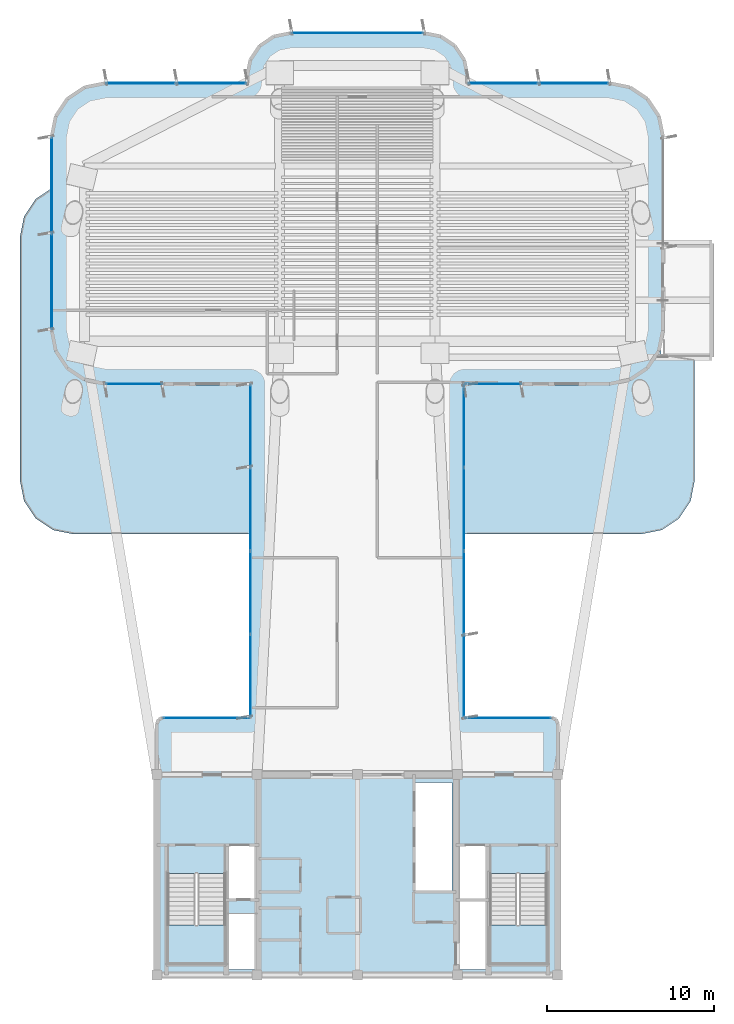
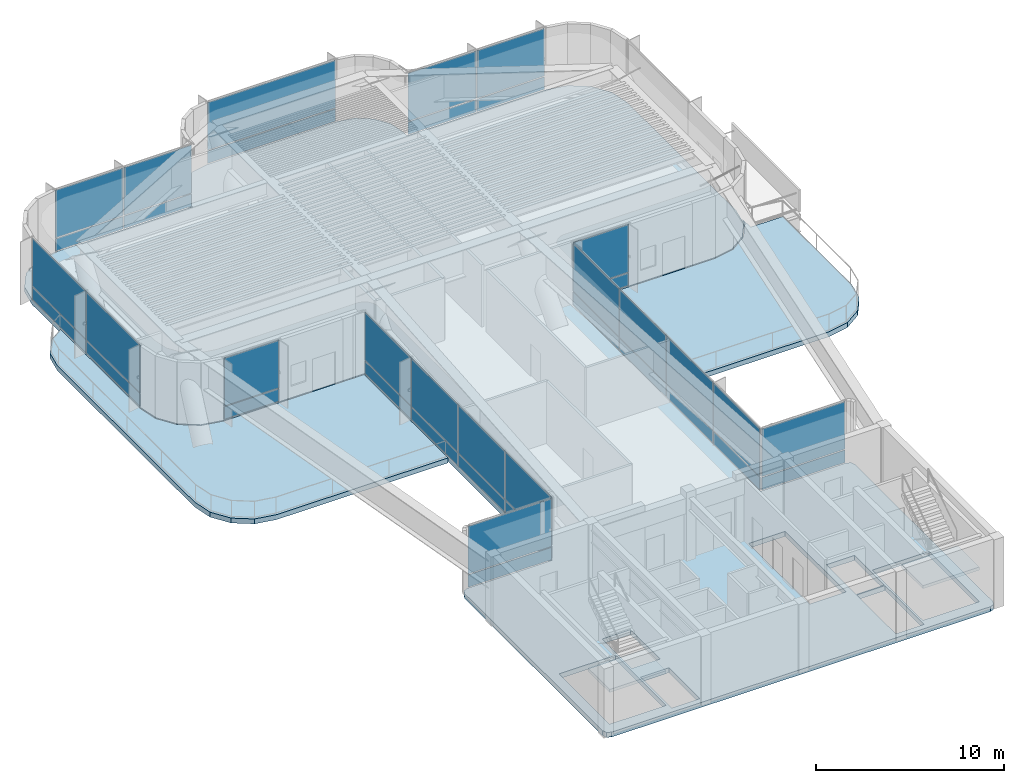
# One storey, part 9 of 16: 38 plates, 5 slabs, 12 elements without a shape of their own.
"""IFC4 building model written with IfcOpenShell, lengths in metres."""

import ifcopenshell
import ifcopenshell.guid

model = None  # the IFC model being written
_history = None  # IfcOwnerHistory: only IFC2X3 demands one
_inside = {}  # id of a spatial element -> (the spatial element, [elements in it])
_under = {}  # id of a project, library or spatial element -> (it, [spatial elements below it])
_declared = {}  # id of a project -> (the project, [libraries it declares])
_typed = {}  # id of a type object -> (the type object, [elements of that type])
_made_of = {}  # id of a material, layer set ... -> (it, [elements and type objects made of it])


def new_model(schema):
    """Start an empty IFC model of exactly this schema.

    Asked for "IFC4X3", IfcOpenShell would pick the latest addendum, in which some entities
    have other attributes; the version numbers below select the first issue.
    IFC2X3 requires an IfcOwnerHistory on every rooted entity: one is made here for all.
    """
    global model, _history
    if schema == "IFC4X3":
        model = ifcopenshell.file(schema_version=(4, 3, 0, 0))
    else:
        model = ifcopenshell.file(schema=schema)
    _inside.clear()
    _under.clear()
    _declared.clear()
    _typed.clear()
    _made_of.clear()
    _history = None
    if model.schema == "IFC2X3":
        org = make("IfcOrganization", Name="unknown")
        user = make(
            "IfcPersonAndOrganization",
            ThePerson=make("IfcPerson", FamilyName="unknown"),
            TheOrganization=org,
        )
        app = make(
            "IfcApplication",
            ApplicationDeveloper=org,
            Version="unknown",
            ApplicationFullName="unknown",
            ApplicationIdentifier="unknown",
        )
        _history = make(
            "IfcOwnerHistory",
            OwningUser=user,
            OwningApplication=app,
            ChangeAction="ADDED",
            CreationDate=0,
        )
    return model


def make(cls, **values):
    """One entity of the class cls with the attributes given. An attribute that is None is left unset."""
    return model.create_entity(
        cls, **{name: value for name, value in values.items() if value is not None}
    )


def rooted(cls, **values):
    """An entity with a GlobalId (a new one), such as an element, a storey or a relation."""
    return make(cls, GlobalId=ifcopenshell.guid.new(), OwnerHistory=_history, **values)


def si_unit(unit_type, name, prefix=None):
    """IfcSIUnit, for example si_unit("LENGTHUNIT", "METRE", prefix="MILLI")."""
    return make("IfcSIUnit", UnitType=unit_type, Prefix=prefix, Name=name)


def assignment(units):
    """IfcUnitAssignment: the units of a project."""
    return None if units is None else make("IfcUnitAssignment", Units=units)


def point(xyz):
    """IfcCartesianPoint."""
    return None if xyz is None else make("IfcCartesianPoint", Coordinates=xyz)


def direction(xyz):
    """IfcDirection."""
    return None if xyz is None else make("IfcDirection", DirectionRatios=xyz)


def frame(location, z_axis=None, x_axis=None):
    """IfcAxis2Placement3D, a coordinate frame: its origin and axes. An axis left out is left unset."""
    return make(
        "IfcAxis2Placement3D",
        Location=point(location),
        Axis=direction(z_axis),
        RefDirection=direction(x_axis),
    )


def frame_2d(location, x_axis=None):
    """IfcAxis2Placement2D, a coordinate frame in the plane: its origin and x axis."""
    return make(
        "IfcAxis2Placement2D", Location=point(location), RefDirection=direction(x_axis)
    )


def origin():
    """The frame at (0, 0, 0) with its axes left unset."""
    return frame((0.0, 0.0, 0.0))


def origin_2d():
    """The frame at (0, 0) in the plane with its x axis left unset."""
    return frame_2d((0.0, 0.0))


def place(relative_to, where):
    """IfcLocalPlacement: puts the frame where relative to a parent placement (None: the world)."""
    return make(
        "IfcLocalPlacement", PlacementRelTo=relative_to, RelativePlacement=where
    )


def context(
    kind, dimensions, precision=None, world=None, true_north=None, identifier=None
):
    """IfcGeometricRepresentationContext, for example the 3D "Model" context."""
    return make(
        "IfcGeometricRepresentationContext",
        ContextIdentifier=identifier,
        ContextType=kind,
        CoordinateSpaceDimension=dimensions,
        Precision=precision,
        WorldCoordinateSystem=world,
        TrueNorth=true_north,
    )


def subcontext(parent, identifier, kind, view, scale=None):
    """IfcGeometricRepresentationSubContext, for example "Body" below "Model"."""
    return make(
        "IfcGeometricRepresentationSubContext",
        ContextIdentifier=identifier,
        ContextType=kind,
        ParentContext=parent,
        TargetScale=scale,
        TargetView=view,
    )


def project(units=None, contexts=None):
    """IfcProject with its units and contexts."""
    return rooted(
        "IfcProject",
        Name="project",
        RepresentationContexts=contexts,
        UnitsInContext=assignment(units),
    )


def spatial(cls, under=None, at=None, **own):
    """A site, building, storey or space (cls), placed at a placement, below another one or the project."""
    s = rooted(cls, ObjectPlacement=at, **own)
    if under is not None:
        _under.setdefault(under.id(), (under, []))[1].append(s)
    return s


def polyline(points):
    """IfcPolyline through the points."""
    return make("IfcPolyline", Points=[point(p) for p in points])


def profile(cls, at=None, kind="AREA", **sizes):
    """A parametric profile (cls). Its sizes go by their IFC names, for example OverallWidth=200.0."""
    return make(cls, ProfileType=kind, Position=at, **sizes)


def rectangle(**sizes):
    """IfcRectangleProfileDef."""
    return profile("IfcRectangleProfileDef", **sizes)


def outline(outer, holes=None, kind="AREA"):
    """IfcArbitraryClosedProfileDef: a profile drawn as a closed curve; with holes, ...WithVoids."""
    if holes is None:
        return make("IfcArbitraryClosedProfileDef", ProfileType=kind, OuterCurve=outer)
    return make(
        "IfcArbitraryProfileDefWithVoids",
        ProfileType=kind,
        OuterCurve=outer,
        InnerCurves=holes,
    )


def extrude(swept, where, along, depth):
    """IfcExtrudedAreaSolid: the profile swept, set in the frame where, extruded along a direction by depth."""
    return make(
        "IfcExtrudedAreaSolid",
        SweptArea=swept,
        Position=where,
        ExtrudedDirection=direction(along),
        Depth=depth,
    )


def shape(context_of_items, identifier, shape_type, items):
    """IfcShapeRepresentation: the items that make up one representation, for example the "Body"."""
    return make(
        "IfcShapeRepresentation",
        ContextOfItems=context_of_items,
        RepresentationIdentifier=identifier,
        RepresentationType=shape_type,
        Items=items,
    )


def source(mapping_origin, context_of_items, identifier, shape_type, items):
    """IfcRepresentationMap: a shape defined once, which mapped items show again and again."""
    return make(
        "IfcRepresentationMap",
        MappingOrigin=mapping_origin,
        MappedRepresentation=shape(context_of_items, identifier, shape_type, items),
    )


def transform(
    local_origin,
    x_axis=None,
    y_axis=None,
    z_axis=None,
    scale=None,
    scale2=None,
    scale3=None,
    uniform=True,
):
    """IfcCartesianTransformationOperator3D, or its non-uniform kind. x_axis, y_axis, z_axis: its Axis1, 2, 3."""
    if uniform:
        return make(
            "IfcCartesianTransformationOperator3D",
            Axis1=direction(x_axis),
            Axis2=direction(y_axis),
            LocalOrigin=point(local_origin),
            Scale=scale,
            Axis3=direction(z_axis),
        )
    return make(
        "IfcCartesianTransformationOperator3DnonUniform",
        Axis1=direction(x_axis),
        Axis2=direction(y_axis),
        LocalOrigin=point(local_origin),
        Scale=scale,
        Axis3=direction(z_axis),
        Scale2=scale2,
        Scale3=scale3,
    )


def mapped(mapping_source, mapping_target):
    """IfcMappedItem: shows the shape of a source again, moved by a transform."""
    return make(
        "IfcMappedItem", MappingSource=mapping_source, MappingTarget=mapping_target
    )


def material(Name=None, Category=None):
    """IfcMaterial."""
    return make("IfcMaterial", Name=Name, Category=Category)


def layer(
    of_material, thickness, ventilated=None, Name=None, Category=None, Priority=None
):
    """IfcMaterialLayer: one layer of a wall or slab, of a material (None: an air gap)."""
    return make(
        "IfcMaterialLayer",
        Material=of_material,
        LayerThickness=thickness,
        IsVentilated=ventilated,
        Name=Name,
        Category=Category,
        Priority=Priority,
    )


def layer_set(layers, Name=None):
    """IfcMaterialLayerSet."""
    return make("IfcMaterialLayerSet", MaterialLayers=layers, LayerSetName=Name)


def made_of(thing, what):
    """Note that an element or type object is made of a material, layer set ...; save() writes the relation."""
    if what is not None:
        _made_of.setdefault(what.id(), (what, []))[1].append(thing)
    return thing


def type_object(cls, material=None, **own):
    """A type object (cls), such as IfcWallType, which elements share."""
    return made_of(rooted(cls, **own), material)


def element(
    cls,
    number,
    at=None,
    inside=None,
    cuts=None,
    type_object=None,
    material=None,
    context=None,
    identifier="Body",
    shape_type=None,
    held_by="IfcProductDefinitionShape",
    body=None,
    shapes=None,
    **own,
):
    """One element of the class cls, such as IfcWall. Its Tag is "e" and its number.

    at: its placement. inside: the storey or other place that contains it. cuts: it is an
    opening in that element (IfcRelVoidsElement). A single representation is given by context,
    identifier, shape_type and body (its items); several are given by shapes. held_by: the class
    of the entity that holds the representations. save() writes the other relations.
    """
    e = rooted(cls, Tag="e%d" % number, ObjectPlacement=at, **own)
    if body is not None:
        shapes = [shape(context, identifier, shape_type, body)]
    if shapes is not None:
        e.Representation = make(held_by, Representations=shapes)
    if inside is not None:
        _inside.setdefault(inside.id(), (inside, []))[1].append(e)
    if cuts is not None:
        rooted(
            "IfcRelVoidsElement", RelatingBuildingElement=cuts, RelatedOpeningElement=e
        )
    if type_object is not None:
        _typed.setdefault(type_object.id(), (type_object, []))[1].append(e)
    return made_of(e, material)


def aggregate(whole, parts):
    """IfcRelAggregates: a whole, such as a stair, and the parts it consists of."""
    return rooted("IfcRelAggregates", RelatingObject=whole, RelatedObjects=parts)


def save(model, path):
    """Write the relations noted so far, then the file.

    IfcRelAggregates (storeys below a building ...), IfcRelContainedInSpatialStructure (elements
    in a storey), IfcRelDefinesByType, IfcRelAssociatesMaterial and IfcRelDeclares: one each for
    every whole, place, type object, material and project.
    """
    for whole, parts in _under.values():
        aggregate(whole, parts)
    for where, things in _inside.values():
        rooted(
            "IfcRelContainedInSpatialStructure",
            RelatedElements=things,
            RelatingStructure=where,
        )
    for kind, things in _typed.values():
        rooted("IfcRelDefinesByType", RelatedObjects=things, RelatingType=kind)
    for what, things in _made_of.values():
        rooted("IfcRelAssociatesMaterial", RelatedObjects=things, RelatingMaterial=what)
    for by, libraries in _declared.values():
        rooted("IfcRelDeclares", RelatingContext=by, RelatedDefinitions=libraries)
    model.write(path)


model = new_model("IFC4")

# Units and contexts
model_context = context("Model", 3, precision=1e-05, world=origin(), true_north=direction((0.0, 1.0)))
body_context = subcontext(model_context, "Body", "Model", "MODEL_VIEW")
ifc_project = project(units=[si_unit("LENGTHUNIT", "METRE"), si_unit("AREAUNIT", "SQUARE_METRE"), si_unit("VOLUMEUNIT", "CUBIC_METRE"), si_unit("PLANEANGLEUNIT", "RADIAN"), si_unit("MASSUNIT", "GRAM", prefix="KILO")], contexts=[model_context])

# Site, building, storey
site_placement = place(None, origin())
site = spatial("IfcSite", under=ifc_project, at=site_placement, CompositionType="ELEMENT")
building_placement = place(site_placement, origin())
building = spatial("IfcBuilding", under=site, at=building_placement, Name="Brelvock Crest Care Tower", CompositionType="ELEMENT")
storey_placement = place(building_placement, frame((0.0, 0.0, 218.52001953125)))
storey = spatial("IfcBuildingStorey", under=building, at=storey_placement, Name="L55", CompositionType="ELEMENT", Elevation=218.52001953125)

# Slabs
ifc_material_1 = material(Name="Concrete N50 (50 MPa)", Category="concrete")
ifc_layer_1 = layer(ifc_material_1, 0.320068359375, Name="SLB-FL1")
ifc_layer_set_1 = layer_set([ifc_layer_1], Name="Concrete N50 (50 MPa)")
slab_type_1 = type_object("IfcSlabType", Name="SLB-FL1", PredefinedType="FLOOR", material=ifc_layer_set_1)
slab_1_placement = place(storey_placement, frame((0.0, 0.0, -0.320068359375)))
element("IfcSlab", 1, at=slab_1_placement, inside=storey, type_object=slab_type_1, Name="L55 Main Structural Slab", PredefinedType="FLOOR", context=body_context, shape_type="SweptSolid", body=[
    extrude(outline(polyline([(47.64990234375, 21.39990234375), (42.39990234375, 21.39990234375), (42.39990234375, 41.39990234375), (51.10009765625, 41.39990234375), (52.32470703125, 41.6435546875), (53.36279296875, 42.33740234375), (54.056396484375, 43.37548828125), (54.300048828125, 44.60009765625), (54.300048828125, 56.199951171875), (54.056396484375, 57.424560546875), (53.36279296875, 58.462646484375), (52.32470703125, 59.156494140625), (51.10009765625, 59.39990234375), (42.60009765625, 59.39990234375), (42.60009765625, 59.800048828125), (42.402099609375, 60.794921875), (41.83837890625, 61.638427734375), (40.9951171875, 62.2021484375), (40.0, 62.39990234375), (32.0, 62.39990234375), (31.0048828125, 62.2021484375), (30.16162109375, 61.638427734375), (29.597900390625, 60.794921875), (29.39990234375, 59.800048828125), (29.39990234375, 59.39990234375), (20.89990234375, 59.39990234375), (19.67529296875, 59.156494140625), (18.63720703125, 58.462646484375), (17.943603515625, 57.424560546875), (17.699951171875, 56.199951171875), (17.699951171875, 44.60009765625), (17.943603515625, 43.37548828125), (18.63720703125, 42.33740234375), (19.67529296875, 41.6435546875), (20.89990234375, 41.39990234375), (29.60009765625, 41.39990234375), (29.60009765625, 21.39990234375), (24.35009765625, 21.39990234375), (24.1025390625, 21.297607421875), (24.0, 21.050048828125), (24.0, 6.35009765625), (24.1025390625, 6.1025390625), (24.35009765625, 6.0), (47.64990234375, 6.0), (47.8974609375, 6.1025390625), (48.0, 6.35009765625), (48.0, 21.050048828125), (47.8974609375, 21.297607421875), (47.64990234375, 21.39990234375)]), holes=[polyline([(28.239990234375, 10.580078125), (29.97998046875, 10.580078125), (29.97998046875, 13.739990234375), (28.239990234375, 13.739990234375), (28.239990234375, 10.580078125)]), polyline([(42.02001953125, 10.580078125), (43.760009765625, 10.580078125), (43.760009765625, 13.739990234375), (42.02001953125, 13.739990234375), (42.02001953125, 10.580078125)]), polyline([(28.239990234375, 6.340087890625), (29.97998046875, 6.340087890625), (29.97998046875, 9.64990234375), (28.239990234375, 9.64990234375), (28.239990234375, 6.340087890625)]), polyline([(24.6298828125, 12.080078125), (24.6298828125, 6.699951171875), (28.110107421875, 6.699951171875), (28.110107421875, 12.080078125), (24.6298828125, 12.080078125)]), polyline([(43.889892578125, 12.080078125), (43.889892578125, 6.699951171875), (47.3701171875, 6.699951171875), (47.3701171875, 12.080078125), (43.889892578125, 12.080078125)]), polyline([(42.02001953125, 6.340087890625), (43.760009765625, 6.340087890625), (43.760009765625, 10.5), (42.02001953125, 10.5), (42.02001953125, 6.340087890625)]), polyline([(39.429931640625, 11.030029296875), (41.669921875, 11.030029296875), (41.669921875, 17.52001953125), (39.429931640625, 17.52001953125), (39.429931640625, 11.030029296875)])]), origin(), (0.0, 0.0, 1.0), 0.320068359375),
])
ifc_layer_2 = layer(ifc_material_1, 0.320068359375, Name="SLB-TD2")
ifc_layer_set_2 = layer_set([ifc_layer_2], Name="Concrete N50 (50 MPa)")
slab_type_2 = type_object("IfcSlabType", Name="SLB-TD2", PredefinedType="FLOOR", material=ifc_layer_set_2)
slab_2_placement = place(storey_placement, frame((0.0, 0.0, -0.320068359375)))
element("IfcSlab", 2, at=slab_2_placement, inside=storey, type_object=slab_type_2, Name="L55 Landscaped Setback Terrace 1", PredefinedType="FLOOR", context=body_context, shape_type="SweptSolid", body=[
    extrude(outline(polyline([(56.199951171875, 42.89990234375), (54.199951171875, 42.89990234375), (54.199951171875, 43.789794921875), (54.109375, 43.34716796875), (53.4091796875, 42.29931640625), (52.336181640625, 41.584716796875), (51.10009765625, 41.340087890625), (42.4599609375, 41.340087890625), (42.4599609375, 32.39990234375), (53.0, 32.39990234375), (54.224609375, 32.6435546875), (55.2626953125, 33.33740234375), (55.956298828125, 34.37548828125), (56.199951171875, 35.60009765625), (56.199951171875, 42.89990234375)])), origin(), (0.0, 0.0, 1.0), 0.320068359375),
])
slab_3_placement = place(storey_placement, frame((0.0, 0.0, -0.320068359375)))
element("IfcSlab", 3, at=slab_3_placement, inside=storey, type_object=slab_type_2, Name="L55 Landscaped Setback Terrace 2", PredefinedType="FLOOR", context=body_context, shape_type="SweptSolid", body=[
    extrude(outline(polyline([(19.0, 32.39990234375), (29.5400390625, 32.39990234375), (29.5400390625, 41.340087890625), (20.89404296875, 41.34033203125), (19.65234375, 41.588134765625), (18.594970703125, 42.294921875), (17.88818359375, 43.352294921875), (17.640380859375, 44.593994140625), (17.639892578125, 53.06591796875), (16.7373046875, 52.462646484375), (16.043701171875, 51.424560546875), (15.800048828125, 50.199951171875), (15.800048828125, 35.60009765625), (16.043701171875, 34.37548828125), (16.7373046875, 33.33740234375), (17.775390625, 32.6435546875), (19.0, 32.39990234375)])), origin(), (0.0, 0.0, 1.0), 0.320068359375),
])

# Stair, slab
ifc_material_2 = material(Name="Concrete N40 (40 MPa)", Category="concrete")
stair_type = type_object("IfcStairType", Name="ST-CORE1", PredefinedType="HALF_TURN_STAIR", material=ifc_material_2)
stair_1_placement = place(storey_placement, origin())
stair_1 = element("IfcStair", 4, at=stair_1_placement, inside=storey, type_object=stair_type, Name="L55 Fire-Isolated Core Stair ST-1", PredefinedType="HALF_TURN_STAIR")
ifc_layer_3 = layer(ifc_material_2, 0.199951171875, Name="STL-1")
ifc_layer_set_3 = layer_set([ifc_layer_3], Name="Concrete N40 (40 MPa)")
slab_type_3 = type_object("IfcSlabType", Name="STL-1", PredefinedType="LANDING", material=ifc_layer_set_3)
slab_4_placement = place(storey_placement, frame((0.0, 0.0, 2.050048828125)))
slab_4 = element("IfcSlab", 5, at=slab_4_placement, type_object=slab_type_3, Name="ST-1 landing 1", PredefinedType="LANDING", context=body_context, shape_type="SweptSolid", body=[
    extrude(outline(polyline([(24.6298828125, 9.0), (24.6298828125, 6.699951171875), (28.110107421875, 6.699951171875), (28.110107421875, 9.0), (24.6298828125, 9.0)])), origin(), (0.0, 0.0, 1.0), 0.199951171875),
])
aggregate(stair_1, [slab_4])

stair_2_placement = place(storey_placement, origin())
stair_2 = element("IfcStair", 6, at=stair_2_placement, inside=storey, type_object=stair_type, Name="L55 Fire-Isolated Core Stair ST-2", PredefinedType="HALF_TURN_STAIR")
slab_5_placement = place(storey_placement, frame((0.0, 0.0, 2.050048828125)))
slab_5 = element("IfcSlab", 7, at=slab_5_placement, type_object=slab_type_3, Name="ST-2 landing 1", PredefinedType="LANDING", context=body_context, shape_type="SweptSolid", body=[
    extrude(outline(polyline([(43.889892578125, 9.0), (43.889892578125, 6.699951171875), (47.3701171875, 6.699951171875), (47.3701171875, 9.0), (43.889892578125, 9.0)])), origin(), (0.0, 0.0, 1.0), 0.199951171875),
])
aggregate(stair_2, [slab_5])

# Curtain wall, plate
ifc_material_3 = material(Name="Dark Glass Double Glazed Low-E", Category="glass")
ifc_layer_4 = layer(ifc_material_3, 0.2548828125, Name="CWS-6")
ifc_layer_set_4 = layer_set([ifc_layer_4], Name="Dark Glass Double Glazed Low-E")
curtain_wall_type = type_object("IfcCurtainWallType", Name="CWS-6", PredefinedType="NOTDEFINED", material=ifc_layer_set_4)
curtain_wall_1_placement = place(storey_placement, origin())
curtain_wall_1 = element("IfcCurtainWall", 8, at=curtain_wall_1_placement, inside=storey, type_object=curtain_wall_type, Name="L55 Curtain Wall E10", PredefinedType="NOTDEFINED")
ifc_material_4 = material(Name="Dark Glass Shadow-Box Spandrel", Category="glass")
ifc_layer_5 = layer(ifc_material_4, 0.048095703125, Name="CWP-SP1")
ifc_layer_set_5 = layer_set([ifc_layer_5], Name="Dark Glass Shadow-Box Spandrel")
plate_type_1 = type_object("IfcPlateType", Name="CWP-SP1", PredefinedType="SHEET", material=ifc_layer_set_5)
shared_shape_1 = source(origin(), body_context, "Body", "SweptSolid", [
    extrude(rectangle(XDim=5.1201171875, YDim=0.035888671875, at=origin_2d()), origin(), (0.0, 0.0, 1.0), 0.802490234375),
])
plate_1_placement = place(storey_placement, frame((26.97509765625, 21.39990234375, 0.06494140625), z_axis=(0.0, 0.0, 1.0), x_axis=(1.0, 0.0, 0.0)))
plate_1 = element("IfcPlate", 9, at=plate_1_placement, type_object=plate_type_1, Name="CW-6 panel 1.1", PredefinedType="SHEET", context=body_context, shape_type="MappedRepresentation", body=[
    mapped(shared_shape_1, transform((0.0, 0.0, 0.0), x_axis=(1.0, 0.0, 0.0), y_axis=(0.0, 1.0, 0.0), z_axis=(0.0, 0.0, 1.0), scale=1.0)),
])

curtain_wall_2_placement = place(storey_placement, origin())
curtain_wall_2 = element("IfcCurtainWall", 10, at=curtain_wall_2_placement, inside=storey, type_object=curtain_wall_type, Name="L55 Curtain Wall E46", PredefinedType="NOTDEFINED")
plate_2_placement = place(storey_placement, frame((45.02490234375, 21.39990234375, 0.06494140625), z_axis=(0.0, 0.0, 1.0), x_axis=(1.0, 0.0, 0.0)))
plate_2 = element("IfcPlate", 11, at=plate_2_placement, type_object=plate_type_1, Name="CW-6 panel 1.1", PredefinedType="SHEET", context=body_context, shape_type="MappedRepresentation", body=[
    mapped(shared_shape_1, transform((0.0, 0.0, 0.0), x_axis=(1.0, 0.0, 0.0), y_axis=(0.0, 1.0, 0.0), z_axis=(0.0, 0.0, 1.0), scale=1.0)),
])

# Plate
ifc_layer_6 = layer(ifc_material_3, 0.0380859375, Name="CWP-V2")
ifc_layer_set_6 = layer_set([ifc_layer_6], Name="Dark Glass Double Glazed Low-E")
plate_type_2 = type_object("IfcPlateType", Name="CWP-V2", PredefinedType="CURTAIN_PANEL", material=ifc_layer_set_6)
shared_shape_2 = source(origin(), body_context, "Body", "SweptSolid", [
    extrude(rectangle(XDim=5.1201171875, YDim=0.035888671875, at=origin_2d()), origin(), (0.0, 0.0, 1.0), 3.094482421875),
])
plate_3_placement = place(storey_placement, frame((26.97509765625, 21.39990234375, 0.9326171875), z_axis=(0.0, 0.0, 1.0), x_axis=(1.0, 0.0, 0.0)))
plate_3 = element("IfcPlate", 12, at=plate_3_placement, type_object=plate_type_2, Name="CW-6 panel 1.2", PredefinedType="CURTAIN_PANEL", context=body_context, shape_type="MappedRepresentation", body=[
    mapped(shared_shape_2, transform((0.0, 0.0, 0.0), x_axis=(1.0, 0.0, 0.0), y_axis=(0.0, 1.0, 0.0), z_axis=(0.0, 0.0, 1.0), scale=1.0)),
])

aggregate(curtain_wall_1, [plate_1, plate_3])

plate_4_placement = place(storey_placement, frame((45.02490234375, 21.39990234375, 0.9326171875), z_axis=(0.0, 0.0, 1.0), x_axis=(1.0, 0.0, 0.0)))
plate_4 = element("IfcPlate", 13, at=plate_4_placement, type_object=plate_type_2, Name="CW-6 panel 1.2", PredefinedType="CURTAIN_PANEL", context=body_context, shape_type="MappedRepresentation", body=[
    mapped(shared_shape_2, transform((0.0, 0.0, 0.0), x_axis=(1.0, 0.0, 0.0), y_axis=(0.0, 1.0, 0.0), z_axis=(0.0, 0.0, 1.0), scale=1.0)),
])

aggregate(curtain_wall_2, [plate_2, plate_4])

# Curtain wall, plates
curtain_wall_3_placement = place(storey_placement, origin())
curtain_wall_3 = element("IfcCurtainWall", 14, at=curtain_wall_3_placement, inside=storey, type_object=curtain_wall_type, Name="L55 Curtain Wall E11", PredefinedType="NOTDEFINED")
shared_shape_3 = source(origin(), body_context, "Body", "SweptSolid", [
    extrude(rectangle(XDim=4.902587890625, YDim=0.035888671875, at=origin_2d()), origin(), (0.0, 0.0, 1.0), 0.802490234375),
])
plate_5_placement = place(storey_placement, frame((29.60009765625, 23.916259765625, 0.06494140625), z_axis=(0.0, 0.0, 1.0), x_axis=(0.0, 1.0, 0.0)))
plate_5 = element("IfcPlate", 15, at=plate_5_placement, type_object=plate_type_1, Name="CW-6 panel 1.1", PredefinedType="SHEET", context=body_context, shape_type="MappedRepresentation", body=[
    mapped(shared_shape_3, transform((0.0, 0.0, 0.0), x_axis=(1.0, 0.0, 0.0), y_axis=(0.0, 1.0, 0.0), z_axis=(0.0, 0.0, 1.0), scale=1.0)),
])
plate_6_placement = place(storey_placement, frame((29.60009765625, 38.8837890625, 0.06494140625), z_axis=(0.0, 0.0, 1.0), x_axis=(0.0, 1.0, 0.0)))
plate_6 = element("IfcPlate", 16, at=plate_6_placement, type_object=plate_type_1, Name="CW-6 panel 4.1", PredefinedType="SHEET", context=body_context, shape_type="MappedRepresentation", body=[
    mapped(shared_shape_3, transform((0.0, 0.0, 0.0), x_axis=(1.0, 0.0, 0.0), y_axis=(0.0, 1.0, 0.0), z_axis=(0.0, 0.0, 1.0), scale=1.0)),
])

curtain_wall_4_placement = place(storey_placement, origin())
curtain_wall_4 = element("IfcCurtainWall", 17, at=curtain_wall_4_placement, inside=storey, type_object=curtain_wall_type, Name="L55 Curtain Wall E45", PredefinedType="NOTDEFINED")
plate_7_placement = place(storey_placement, frame((42.39990234375, 38.8837890625, 0.06494140625), z_axis=(0.0, 0.0, 1.0), x_axis=(0.0, -1.0, 0.0)))
plate_7 = element("IfcPlate", 18, at=plate_7_placement, type_object=plate_type_1, Name="CW-6 panel 1.1", PredefinedType="SHEET", context=body_context, shape_type="MappedRepresentation", body=[
    mapped(shared_shape_3, transform((0.0, 0.0, 0.0), x_axis=(1.0, 0.0, 0.0), y_axis=(0.0, 1.0, 0.0), z_axis=(0.0, 0.0, 1.0), scale=1.0)),
])
plate_8_placement = place(storey_placement, frame((42.39990234375, 23.916259765625, 0.06494140625), z_axis=(0.0, 0.0, 1.0), x_axis=(0.0, -1.0, 0.0)))
plate_8 = element("IfcPlate", 19, at=plate_8_placement, type_object=plate_type_1, Name="CW-6 panel 4.1", PredefinedType="SHEET", context=body_context, shape_type="MappedRepresentation", body=[
    mapped(shared_shape_3, transform((0.0, 0.0, 0.0), x_axis=(1.0, 0.0, 0.0), y_axis=(0.0, 1.0, 0.0), z_axis=(0.0, 0.0, 1.0), scale=1.0)),
])

# Plate
shared_shape_4 = source(origin(), body_context, "Body", "SweptSolid", [
    extrude(rectangle(XDim=4.902587890625, YDim=0.035888671875, at=origin_2d()), origin(), (0.0, 0.0, 1.0), 3.094482421875),
])
plate_9_placement = place(storey_placement, frame((29.60009765625, 23.916259765625, 0.9326171875), z_axis=(0.0, 0.0, 1.0), x_axis=(0.0, 1.0, 0.0)))
plate_9 = element("IfcPlate", 20, at=plate_9_placement, type_object=plate_type_2, Name="CW-6 panel 1.2", PredefinedType="CURTAIN_PANEL", context=body_context, shape_type="MappedRepresentation", body=[
    mapped(shared_shape_4, transform((0.0, 0.0, 0.0), x_axis=(1.0, 0.0, 0.0), y_axis=(0.0, 1.0, 0.0), z_axis=(0.0, 0.0, 1.0), scale=1.0)),
])

plate_10_placement = place(storey_placement, frame((29.60009765625, 38.8837890625, 0.9326171875), z_axis=(0.0, 0.0, 1.0), x_axis=(0.0, 1.0, 0.0)))
plate_10 = element("IfcPlate", 21, at=plate_10_placement, type_object=plate_type_2, Name="CW-6 panel 4.2", PredefinedType="CURTAIN_PANEL", context=body_context, shape_type="MappedRepresentation", body=[
    mapped(shared_shape_4, transform((0.0, 0.0, 0.0), x_axis=(1.0, 0.0, 0.0), y_axis=(0.0, 1.0, 0.0), z_axis=(0.0, 0.0, 1.0), scale=1.0)),
])

plate_11_placement = place(storey_placement, frame((42.39990234375, 38.8837890625, 0.9326171875), z_axis=(0.0, 0.0, 1.0), x_axis=(0.0, -1.0, 0.0)))
plate_11 = element("IfcPlate", 22, at=plate_11_placement, type_object=plate_type_2, Name="CW-6 panel 1.2", PredefinedType="CURTAIN_PANEL", context=body_context, shape_type="MappedRepresentation", body=[
    mapped(shared_shape_4, transform((0.0, 0.0, 0.0), x_axis=(1.0, 0.0, 0.0), y_axis=(0.0, 1.0, 0.0), z_axis=(0.0, 0.0, 1.0), scale=1.0)),
])

plate_12_placement = place(storey_placement, frame((42.39990234375, 23.916259765625, 0.9326171875), z_axis=(0.0, 0.0, 1.0), x_axis=(0.0, -1.0, 0.0)))
plate_12 = element("IfcPlate", 23, at=plate_12_placement, type_object=plate_type_2, Name="CW-6 panel 4.2", PredefinedType="CURTAIN_PANEL", context=body_context, shape_type="MappedRepresentation", body=[
    mapped(shared_shape_4, transform((0.0, 0.0, 0.0), x_axis=(1.0, 0.0, 0.0), y_axis=(0.0, 1.0, 0.0), z_axis=(0.0, 0.0, 1.0), scale=1.0)),
])

shared_shape_5 = source(origin(), body_context, "Body", "SweptSolid", [
    extrude(rectangle(XDim=4.93505859375, YDim=0.035888671875, at=origin_2d()), origin(), (0.0, 0.0, 1.0), 0.802490234375),
])
plate_13_placement = place(storey_placement, frame((29.60009765625, 28.89990234375, 0.06494140625), z_axis=(0.0, 0.0, 1.0), x_axis=(0.0, 1.0, 0.0)))
plate_13 = element("IfcPlate", 24, at=plate_13_placement, type_object=plate_type_1, Name="CW-6 panel 2.1", PredefinedType="SHEET", context=body_context, shape_type="MappedRepresentation", body=[
    mapped(shared_shape_5, transform((0.0, 0.0, 0.0), x_axis=(1.0, 0.0, 0.0), y_axis=(0.0, 1.0, 0.0), z_axis=(0.0, 0.0, 1.0), scale=1.0)),
])

plate_14_placement = place(storey_placement, frame((29.60009765625, 33.89990234375, 0.06494140625), z_axis=(0.0, 0.0, 1.0), x_axis=(0.0, 1.0, 0.0)))
plate_14 = element("IfcPlate", 25, at=plate_14_placement, type_object=plate_type_1, Name="CW-6 panel 3.1", PredefinedType="SHEET", context=body_context, shape_type="MappedRepresentation", body=[
    mapped(shared_shape_5, transform((0.0, 0.0, 0.0), x_axis=(1.0, 0.0, 0.0), y_axis=(0.0, 1.0, 0.0), z_axis=(0.0, 0.0, 1.0), scale=1.0)),
])

plate_15_placement = place(storey_placement, frame((42.39990234375, 33.89990234375, 0.06494140625), z_axis=(0.0, 0.0, 1.0), x_axis=(0.0, -1.0, 0.0)))
plate_15 = element("IfcPlate", 26, at=plate_15_placement, type_object=plate_type_1, Name="CW-6 panel 2.1", PredefinedType="SHEET", context=body_context, shape_type="MappedRepresentation", body=[
    mapped(shared_shape_5, transform((0.0, 0.0, 0.0), x_axis=(1.0, 0.0, 0.0), y_axis=(0.0, 1.0, 0.0), z_axis=(0.0, 0.0, 1.0), scale=1.0)),
])

plate_16_placement = place(storey_placement, frame((42.39990234375, 28.89990234375, 0.06494140625), z_axis=(0.0, 0.0, 1.0), x_axis=(0.0, -1.0, 0.0)))
plate_16 = element("IfcPlate", 27, at=plate_16_placement, type_object=plate_type_1, Name="CW-6 panel 3.1", PredefinedType="SHEET", context=body_context, shape_type="MappedRepresentation", body=[
    mapped(shared_shape_5, transform((0.0, 0.0, 0.0), x_axis=(1.0, 0.0, 0.0), y_axis=(0.0, 1.0, 0.0), z_axis=(0.0, 0.0, 1.0), scale=1.0)),
])

shared_shape_6 = source(origin(), body_context, "Body", "SweptSolid", [
    extrude(rectangle(XDim=4.93505859375, YDim=0.035888671875, at=origin_2d()), origin(), (0.0, 0.0, 1.0), 3.094482421875),
])
plate_17_placement = place(storey_placement, frame((29.60009765625, 28.89990234375, 0.9326171875), z_axis=(0.0, 0.0, 1.0), x_axis=(0.0, 1.0, 0.0)))
plate_17 = element("IfcPlate", 28, at=plate_17_placement, type_object=plate_type_2, Name="CW-6 panel 2.2", PredefinedType="CURTAIN_PANEL", context=body_context, shape_type="MappedRepresentation", body=[
    mapped(shared_shape_6, transform((0.0, 0.0, 0.0), x_axis=(1.0, 0.0, 0.0), y_axis=(0.0, 1.0, 0.0), z_axis=(0.0, 0.0, 1.0), scale=1.0)),
])

plate_18_placement = place(storey_placement, frame((29.60009765625, 33.89990234375, 0.9326171875), z_axis=(0.0, 0.0, 1.0), x_axis=(0.0, 1.0, 0.0)))
plate_18 = element("IfcPlate", 29, at=plate_18_placement, type_object=plate_type_2, Name="CW-6 panel 3.2", PredefinedType="CURTAIN_PANEL", context=body_context, shape_type="MappedRepresentation", body=[
    mapped(shared_shape_6, transform((0.0, 0.0, 0.0), x_axis=(1.0, 0.0, 0.0), y_axis=(0.0, 1.0, 0.0), z_axis=(0.0, 0.0, 1.0), scale=1.0)),
])

aggregate(curtain_wall_3, [plate_5, plate_9, plate_13, plate_17, plate_14, plate_18, plate_6, plate_10])

plate_19_placement = place(storey_placement, frame((42.39990234375, 33.89990234375, 0.9326171875), z_axis=(0.0, 0.0, 1.0), x_axis=(0.0, -1.0, 0.0)))
plate_19 = element("IfcPlate", 30, at=plate_19_placement, type_object=plate_type_2, Name="CW-6 panel 2.2", PredefinedType="CURTAIN_PANEL", context=body_context, shape_type="MappedRepresentation", body=[
    mapped(shared_shape_6, transform((0.0, 0.0, 0.0), x_axis=(1.0, 0.0, 0.0), y_axis=(0.0, 1.0, 0.0), z_axis=(0.0, 0.0, 1.0), scale=1.0)),
])

plate_20_placement = place(storey_placement, frame((42.39990234375, 28.89990234375, 0.9326171875), z_axis=(0.0, 0.0, 1.0), x_axis=(0.0, -1.0, 0.0)))
plate_20 = element("IfcPlate", 31, at=plate_20_placement, type_object=plate_type_2, Name="CW-6 panel 3.2", PredefinedType="CURTAIN_PANEL", context=body_context, shape_type="MappedRepresentation", body=[
    mapped(shared_shape_6, transform((0.0, 0.0, 0.0), x_axis=(1.0, 0.0, 0.0), y_axis=(0.0, 1.0, 0.0), z_axis=(0.0, 0.0, 1.0), scale=1.0)),
])

aggregate(curtain_wall_4, [plate_7, plate_11, plate_15, plate_19, plate_16, plate_20, plate_8, plate_12])

# Curtain wall, plate
curtain_wall_5_placement = place(storey_placement, origin())
curtain_wall_5 = element("IfcCurtainWall", 32, at=curtain_wall_5_placement, inside=storey, type_object=curtain_wall_type, Name="L55 Curtain Wall E12B", PredefinedType="NOTDEFINED")
shared_shape_7 = source(origin(), body_context, "Body", "SweptSolid", [
    extrude(rectangle(XDim=3.364013671875, YDim=0.035888671875, at=origin_2d()), origin(), (0.0, 0.0, 1.0), 0.802490234375),
])
plate_21_placement = place(storey_placement, frame((22.64697265625, 41.39990234375, 0.06494140625), z_axis=(0.0, 0.0, 1.0), x_axis=(-1.0, 0.0, 0.0)))
plate_21 = element("IfcPlate", 33, at=plate_21_placement, type_object=plate_type_1, Name="CW-6 panel 1.1", PredefinedType="SHEET", context=body_context, shape_type="MappedRepresentation", body=[
    mapped(shared_shape_7, transform((0.0, 0.0, 0.0), x_axis=(1.0, 0.0, 0.0), y_axis=(0.0, 1.0, 0.0), z_axis=(0.0, 0.0, 1.0), scale=1.0)),
])

curtain_wall_6_placement = place(storey_placement, origin())
curtain_wall_6 = element("IfcCurtainWall", 34, at=curtain_wall_6_placement, inside=storey, type_object=curtain_wall_type, Name="L55 Curtain Wall E44B", PredefinedType="NOTDEFINED")
plate_22_placement = place(storey_placement, frame((44.14697265625, 41.39990234375, 0.06494140625), z_axis=(0.0, 0.0, 1.0), x_axis=(-1.0, 0.0, 0.0)))
plate_22 = element("IfcPlate", 35, at=plate_22_placement, type_object=plate_type_1, Name="CW-6 panel 1.1", PredefinedType="SHEET", context=body_context, shape_type="MappedRepresentation", body=[
    mapped(shared_shape_7, transform((0.0, 0.0, 0.0), x_axis=(1.0, 0.0, 0.0), y_axis=(0.0, 1.0, 0.0), z_axis=(0.0, 0.0, 1.0), scale=1.0)),
])

# Plate
shared_shape_8 = source(origin(), body_context, "Body", "SweptSolid", [
    extrude(rectangle(XDim=3.364013671875, YDim=0.035888671875, at=origin_2d()), origin(), (0.0, 0.0, 1.0), 3.094482421875),
])
plate_23_placement = place(storey_placement, frame((22.64697265625, 41.39990234375, 0.9326171875), z_axis=(0.0, 0.0, 1.0), x_axis=(-1.0, 0.0, 0.0)))
plate_23 = element("IfcPlate", 36, at=plate_23_placement, type_object=plate_type_2, Name="CW-6 panel 1.2", PredefinedType="CURTAIN_PANEL", context=body_context, shape_type="MappedRepresentation", body=[
    mapped(shared_shape_8, transform((0.0, 0.0, 0.0), x_axis=(1.0, 0.0, 0.0), y_axis=(0.0, 1.0, 0.0), z_axis=(0.0, 0.0, 1.0), scale=1.0)),
])

aggregate(curtain_wall_5, [plate_21, plate_23])

plate_24_placement = place(storey_placement, frame((44.14697265625, 41.39990234375, 0.9326171875), z_axis=(0.0, 0.0, 1.0), x_axis=(-1.0, 0.0, 0.0)))
plate_24 = element("IfcPlate", 37, at=plate_24_placement, type_object=plate_type_2, Name="CW-6 panel 1.2", PredefinedType="CURTAIN_PANEL", context=body_context, shape_type="MappedRepresentation", body=[
    mapped(shared_shape_8, transform((0.0, 0.0, 0.0), x_axis=(1.0, 0.0, 0.0), y_axis=(0.0, 1.0, 0.0), z_axis=(0.0, 0.0, 1.0), scale=1.0)),
])

aggregate(curtain_wall_6, [plate_22, plate_24])

# Curtain wall, plates
curtain_wall_7_placement = place(storey_placement, origin())
curtain_wall_7 = element("IfcCurtainWall", 38, at=curtain_wall_7_placement, inside=storey, type_object=curtain_wall_type, Name="L55 Curtain Wall E17", PredefinedType="NOTDEFINED")
shared_shape_9 = source(origin(), body_context, "Body", "SweptSolid", [
    extrude(rectangle(XDim=5.702392578125, YDim=0.035888671875, at=origin_2d()), origin(), (0.0, 0.0, 1.0), 0.802490234375),
])
plate_25_placement = place(storey_placement, frame((17.699951171875, 47.516357421875, 0.06494140625), z_axis=(0.0, 0.0, 1.0), x_axis=(0.0, 1.0, 0.0)))
plate_25 = element("IfcPlate", 39, at=plate_25_placement, type_object=plate_type_1, Name="CW-6 panel 1.1", PredefinedType="SHEET", context=body_context, shape_type="MappedRepresentation", body=[
    mapped(shared_shape_9, transform((0.0, 0.0, 0.0), x_axis=(1.0, 0.0, 0.0), y_axis=(0.0, 1.0, 0.0), z_axis=(0.0, 0.0, 1.0), scale=1.0)),
])
plate_26_placement = place(storey_placement, frame((17.699951171875, 53.28369140625, 0.06494140625), z_axis=(0.0, 0.0, 1.0), x_axis=(0.0, 1.0, 0.0)))
plate_26 = element("IfcPlate", 40, at=plate_26_placement, type_object=plate_type_1, Name="CW-6 panel 2.1", PredefinedType="SHEET", context=body_context, shape_type="MappedRepresentation", body=[
    mapped(shared_shape_9, transform((0.0, 0.0, 0.0), x_axis=(1.0, 0.0, 0.0), y_axis=(0.0, 1.0, 0.0), z_axis=(0.0, 0.0, 1.0), scale=1.0)),
])
shared_shape_10 = source(origin(), body_context, "Body", "SweptSolid", [
    extrude(rectangle(XDim=5.702392578125, YDim=0.035888671875, at=origin_2d()), origin(), (0.0, 0.0, 1.0), 3.094482421875),
])
plate_27_placement = place(storey_placement, frame((17.699951171875, 47.516357421875, 0.9326171875), z_axis=(0.0, 0.0, 1.0), x_axis=(0.0, 1.0, 0.0)))
plate_27 = element("IfcPlate", 41, at=plate_27_placement, type_object=plate_type_2, Name="CW-6 panel 1.2", PredefinedType="CURTAIN_PANEL", context=body_context, shape_type="MappedRepresentation", body=[
    mapped(shared_shape_10, transform((0.0, 0.0, 0.0), x_axis=(1.0, 0.0, 0.0), y_axis=(0.0, 1.0, 0.0), z_axis=(0.0, 0.0, 1.0), scale=1.0)),
])
plate_28_placement = place(storey_placement, frame((17.699951171875, 53.28369140625, 0.9326171875), z_axis=(0.0, 0.0, 1.0), x_axis=(0.0, 1.0, 0.0)))
plate_28 = element("IfcPlate", 42, at=plate_28_placement, type_object=plate_type_2, Name="CW-6 panel 2.2", PredefinedType="CURTAIN_PANEL", context=body_context, shape_type="MappedRepresentation", body=[
    mapped(shared_shape_10, transform((0.0, 0.0, 0.0), x_axis=(1.0, 0.0, 0.0), y_axis=(0.0, 1.0, 0.0), z_axis=(0.0, 0.0, 1.0), scale=1.0)),
])
aggregate(curtain_wall_7, [plate_25, plate_27, plate_26, plate_28])

curtain_wall_8_placement = place(storey_placement, origin())
curtain_wall_8 = element("IfcCurtainWall", 43, at=curtain_wall_8_placement, inside=storey, type_object=curtain_wall_type, Name="L55 Curtain Wall E22", PredefinedType="NOTDEFINED")
shared_shape_11 = source(origin(), body_context, "Body", "SweptSolid", [
    extrude(rectangle(XDim=4.152587890625, YDim=0.035888671875, at=origin_2d()), origin(), (0.0, 0.0, 1.0), 0.802490234375),
])
plate_29_placement = place(storey_placement, frame((23.041259765625, 59.39990234375, 0.06494140625), z_axis=(0.0, 0.0, 1.0), x_axis=(1.0, 0.0, 0.0)))
plate_29 = element("IfcPlate", 44, at=plate_29_placement, type_object=plate_type_1, Name="CW-6 panel 1.1", PredefinedType="SHEET", context=body_context, shape_type="MappedRepresentation", body=[
    mapped(shared_shape_11, transform((0.0, 0.0, 0.0), x_axis=(1.0, 0.0, 0.0), y_axis=(0.0, 1.0, 0.0), z_axis=(0.0, 0.0, 1.0), scale=1.0)),
])
plate_30_placement = place(storey_placement, frame((27.2587890625, 59.39990234375, 0.06494140625), z_axis=(0.0, 0.0, 1.0), x_axis=(1.0, 0.0, 0.0)))
plate_30 = element("IfcPlate", 45, at=plate_30_placement, type_object=plate_type_1, Name="CW-6 panel 2.1", PredefinedType="SHEET", context=body_context, shape_type="MappedRepresentation", body=[
    mapped(shared_shape_11, transform((0.0, 0.0, 0.0), x_axis=(1.0, 0.0, 0.0), y_axis=(0.0, 1.0, 0.0), z_axis=(0.0, 0.0, 1.0), scale=1.0)),
])

curtain_wall_9_placement = place(storey_placement, origin())
curtain_wall_9 = element("IfcCurtainWall", 46, at=curtain_wall_9_placement, inside=storey, type_object=curtain_wall_type, Name="L55 Curtain Wall E34", PredefinedType="NOTDEFINED")
plate_31_placement = place(storey_placement, frame((44.7412109375, 59.39990234375, 0.06494140625), z_axis=(0.0, 0.0, 1.0), x_axis=(1.0, 0.0, 0.0)))
plate_31 = element("IfcPlate", 47, at=plate_31_placement, type_object=plate_type_1, Name="CW-6 panel 1.1", PredefinedType="SHEET", context=body_context, shape_type="MappedRepresentation", body=[
    mapped(shared_shape_11, transform((0.0, 0.0, 0.0), x_axis=(1.0, 0.0, 0.0), y_axis=(0.0, 1.0, 0.0), z_axis=(0.0, 0.0, 1.0), scale=1.0)),
])
plate_32_placement = place(storey_placement, frame((48.958740234375, 59.39990234375, 0.06494140625), z_axis=(0.0, 0.0, 1.0), x_axis=(1.0, 0.0, 0.0)))
plate_32 = element("IfcPlate", 48, at=plate_32_placement, type_object=plate_type_1, Name="CW-6 panel 2.1", PredefinedType="SHEET", context=body_context, shape_type="MappedRepresentation", body=[
    mapped(shared_shape_11, transform((0.0, 0.0, 0.0), x_axis=(1.0, 0.0, 0.0), y_axis=(0.0, 1.0, 0.0), z_axis=(0.0, 0.0, 1.0), scale=1.0)),
])

# Plate
shared_shape_12 = source(origin(), body_context, "Body", "SweptSolid", [
    extrude(rectangle(XDim=4.152587890625, YDim=0.035888671875, at=origin_2d()), origin(), (0.0, 0.0, 1.0), 3.094482421875),
])
plate_33_placement = place(storey_placement, frame((23.041259765625, 59.39990234375, 0.9326171875), z_axis=(0.0, 0.0, 1.0), x_axis=(1.0, 0.0, 0.0)))
plate_33 = element("IfcPlate", 49, at=plate_33_placement, type_object=plate_type_2, Name="CW-6 panel 1.2", PredefinedType="CURTAIN_PANEL", context=body_context, shape_type="MappedRepresentation", body=[
    mapped(shared_shape_12, transform((0.0, 0.0, 0.0), x_axis=(1.0, 0.0, 0.0), y_axis=(0.0, 1.0, 0.0), z_axis=(0.0, 0.0, 1.0), scale=1.0)),
])

plate_34_placement = place(storey_placement, frame((27.2587890625, 59.39990234375, 0.9326171875), z_axis=(0.0, 0.0, 1.0), x_axis=(1.0, 0.0, 0.0)))
plate_34 = element("IfcPlate", 50, at=plate_34_placement, type_object=plate_type_2, Name="CW-6 panel 2.2", PredefinedType="CURTAIN_PANEL", context=body_context, shape_type="MappedRepresentation", body=[
    mapped(shared_shape_12, transform((0.0, 0.0, 0.0), x_axis=(1.0, 0.0, 0.0), y_axis=(0.0, 1.0, 0.0), z_axis=(0.0, 0.0, 1.0), scale=1.0)),
])

aggregate(curtain_wall_8, [plate_29, plate_33, plate_30, plate_34])

plate_35_placement = place(storey_placement, frame((44.7412109375, 59.39990234375, 0.9326171875), z_axis=(0.0, 0.0, 1.0), x_axis=(1.0, 0.0, 0.0)))
plate_35 = element("IfcPlate", 51, at=plate_35_placement, type_object=plate_type_2, Name="CW-6 panel 1.2", PredefinedType="CURTAIN_PANEL", context=body_context, shape_type="MappedRepresentation", body=[
    mapped(shared_shape_12, transform((0.0, 0.0, 0.0), x_axis=(1.0, 0.0, 0.0), y_axis=(0.0, 1.0, 0.0), z_axis=(0.0, 0.0, 1.0), scale=1.0)),
])

plate_36_placement = place(storey_placement, frame((48.958740234375, 59.39990234375, 0.9326171875), z_axis=(0.0, 0.0, 1.0), x_axis=(1.0, 0.0, 0.0)))
plate_36 = element("IfcPlate", 52, at=plate_36_placement, type_object=plate_type_2, Name="CW-6 panel 2.2", PredefinedType="CURTAIN_PANEL", context=body_context, shape_type="MappedRepresentation", body=[
    mapped(shared_shape_12, transform((0.0, 0.0, 0.0), x_axis=(1.0, 0.0, 0.0), y_axis=(0.0, 1.0, 0.0), z_axis=(0.0, 0.0, 1.0), scale=1.0)),
])

aggregate(curtain_wall_9, [plate_31, plate_35, plate_32, plate_36])

# Curtain wall, plates
curtain_wall_10_placement = place(storey_placement, origin())
curtain_wall_10 = element("IfcCurtainWall", 53, at=curtain_wall_10_placement, inside=storey, type_object=curtain_wall_type, Name="L55 Curtain Wall E28", PredefinedType="NOTDEFINED")
shared_shape_13 = source(origin(), body_context, "Body", "SweptSolid", [
    extrude(rectangle(XDim=7.8701171875, YDim=0.035888671875, at=origin_2d()), origin(), (0.0, 0.0, 1.0), 0.802490234375),
])
plate_37_placement = place(storey_placement, frame((36.0, 62.39990234375, 0.06494140625), z_axis=(0.0, 0.0, 1.0), x_axis=(1.0, 0.0, 0.0)))
plate_37 = element("IfcPlate", 54, at=plate_37_placement, type_object=plate_type_1, Name="CW-6 panel 1.1", PredefinedType="SHEET", context=body_context, shape_type="MappedRepresentation", body=[
    mapped(shared_shape_13, transform((0.0, 0.0, 0.0), x_axis=(1.0, 0.0, 0.0), y_axis=(0.0, 1.0, 0.0), z_axis=(0.0, 0.0, 1.0), scale=1.0)),
])
shared_shape_14 = source(origin(), body_context, "Body", "SweptSolid", [
    extrude(rectangle(XDim=7.8701171875, YDim=0.035888671875, at=origin_2d()), origin(), (0.0, 0.0, 1.0), 3.094482421875),
])
plate_38_placement = place(storey_placement, frame((36.0, 62.39990234375, 0.9326171875), z_axis=(0.0, 0.0, 1.0), x_axis=(1.0, 0.0, 0.0)))
plate_38 = element("IfcPlate", 55, at=plate_38_placement, type_object=plate_type_2, Name="CW-6 panel 1.2", PredefinedType="CURTAIN_PANEL", context=body_context, shape_type="MappedRepresentation", body=[
    mapped(shared_shape_14, transform((0.0, 0.0, 0.0), x_axis=(1.0, 0.0, 0.0), y_axis=(0.0, 1.0, 0.0), z_axis=(0.0, 0.0, 1.0), scale=1.0)),
])
aggregate(curtain_wall_10, [plate_37, plate_38])

save(model, "model.ifc")
